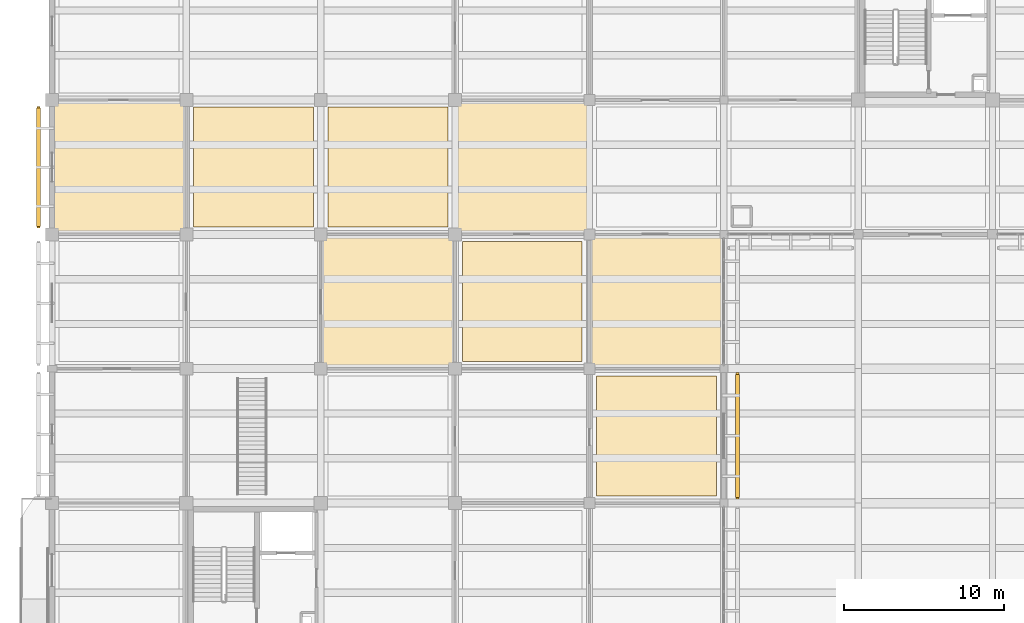
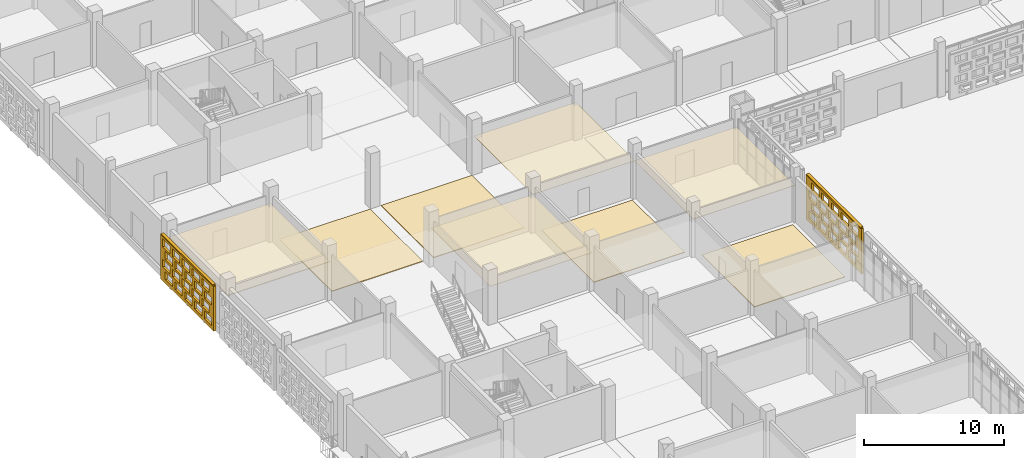
# One storey, part 97 of 129: 10 coverings, 2 shading devices, 40 openings.
"""IFC4 building model written with IfcOpenShell, lengths in metres."""

from ifc_helpers import new_model, si_unit, direction, frame, frame_2d, origin, origin_2d, place, context, subcontext, project, spatial, rectangle, extrude, material, layer, layer_set, type_object, element, save


model = new_model("IFC4")

# Units and contexts
model_context = context("Model", 3, precision=1e-05, world=origin(), true_north=direction((0.0, 1.0)))
body_context = subcontext(model_context, "Body", "Model", "MODEL_VIEW")
ifc_project = project(units=[si_unit("LENGTHUNIT", "METRE"), si_unit("AREAUNIT", "SQUARE_METRE"), si_unit("VOLUMEUNIT", "CUBIC_METRE"), si_unit("PLANEANGLEUNIT", "RADIAN"), si_unit("MASSUNIT", "GRAM", prefix="KILO")], contexts=[model_context])

# Site, building, storey
site_placement = place(None, origin())
site = spatial("IfcSite", under=ifc_project, at=site_placement, CompositionType="ELEMENT")
building_placement = place(site_placement, origin())
building = spatial("IfcBuilding", under=site, at=building_placement, Name="Varnapada Polytechnic", CompositionType="ELEMENT")
storey_placement = place(building_placement, origin())
storey = spatial("IfcBuildingStorey", under=building, at=storey_placement, Name="L00", CompositionType="ELEMENT", Elevation=0.0)

# Coverings
ifc_material_1 = material(Name="Anti-Static Raised Laboratory Flooring")
ifc_layer_1 = layer(ifc_material_1, 0.06005859375)
ifc_layer_set_1 = layer_set([ifc_layer_1], Name="Anti-Static Raised Laboratory Flooring")
covering_type_1 = type_object("IfcCoveringType", Name="Floor Finish FLR-02", PredefinedType="FLOORING", material=ifc_layer_set_1)
for number, where, z_axis, x_axis, name in (
    (1, (12.60009765625, 88.199951171875, 0.0), (0.0, 0.0, 1.0), (1.0, 0.0, 0.0), "L00 floor finish panel (2,11)"),
    (2, (21.0, 88.199951171875, 0.0), (0.0, 0.0, 1.0), (1.0, 0.0, 0.0), "L00 floor finish panel (3,11)"),
    (3, (29.39990234375, 79.800048828125, 0.0), (0.0, 0.0, 1.0), (1.0, 0.0, 0.0), "L00 floor finish panel (4,10)"),
    (4, (37.800048828125, 71.39990234375, 0.0), (0.0, 0.0, 1.0), (1.0, 0.0, 0.0), "L00 floor finish panel (5,9)"),
):
    element("IfcCovering", number, at=place(storey_placement, frame(where, z_axis=z_axis, x_axis=x_axis)), inside=storey, type_object=covering_type_1, Name=name, PredefinedType="FLOORING", context=body_context, shape_type="SweptSolid", body=[
        extrude(rectangle(XDim=7.5, YDim=7.5, at=origin_2d()), origin(), (0.0, 0.0, 1.0), 0.06005859375),
    ])
ifc_material_2 = material(Name="Mineral Fibre Acoustic Ceiling Tile")
ifc_layer_2 = layer(ifc_material_2, 0.0400390625)
ifc_layer_set_2 = layer_set([ifc_layer_2], Name="Mineral Fibre Acoustic Ceiling Tile")
covering_type_2 = type_object("IfcCoveringType", Name="Suspended Ceiling CLG-01", PredefinedType="CEILING", material=ifc_layer_set_2)
covering_1_placement = place(storey_placement, frame((37.800048828125, 79.800048828125, 3.030029296875), z_axis=(0.0, 0.0, 1.0), x_axis=(1.0, 0.0, 0.0)))
element("IfcCovering", 5, at=covering_1_placement, inside=storey, type_object=covering_type_2, Name="L00 suspended acoustic ceiling (5,10)", PredefinedType="CEILING", context=body_context, shape_type="SweptSolid", body=[
    extrude(rectangle(XDim=8.419921875, YDim=8.419921875, at=origin_2d()), origin(), (0.0, 0.0, 1.0), 0.0400390625),
])
ifc_material_3 = material(Name="Moisture-Resistant Aluminum Baffle Ceiling", Category="aluminium")
ifc_layer_3 = layer(ifc_material_3, 0.030029296875)
ifc_layer_set_3 = layer_set([ifc_layer_3], Name="Moisture-Resistant Aluminum Baffle Ceiling")
covering_type_3 = type_object("IfcCoveringType", Name="Suspended Ceiling CLG-03", PredefinedType="CEILING", material=ifc_layer_set_3)
for number, where, z_axis, x_axis, name in (
    (6, (21.0, 79.800048828125, 3.03515625), (0.0, 0.0, 1.0), (1.0, 0.0, 0.0), "L00 suspended acoustic ceiling (3,10)"),
    (7, (29.39990234375, 88.199951171875, 3.03515625), (0.0, 0.0, 1.0), (1.0, 0.0, 0.0), "L00 suspended acoustic ceiling (4,11)"),
):
    element("IfcCovering", number, at=place(storey_placement, frame(where, z_axis=z_axis, x_axis=x_axis)), inside=storey, type_object=covering_type_3, Name=name, PredefinedType="CEILING", context=body_context, shape_type="SweptSolid", body=[
        extrude(rectangle(XDim=8.419921875, YDim=8.419921875, at=origin_2d()), origin(), (0.0, 0.0, 1.0), 0.030029296875),
    ])
ifc_material_4 = material(Name="Deep Acoustic Auditorium Cloud Baffle")
ifc_layer_4 = layer(ifc_material_4, 0.06494140625)
ifc_layer_set_4 = layer_set([ifc_layer_4], Name="Deep Acoustic Auditorium Cloud Baffle")
covering_type_4 = type_object("IfcCoveringType", Name="Suspended Ceiling CLG-07", PredefinedType="CEILING", material=ifc_layer_set_4)
covering_2_placement = place(storey_placement, frame((4.199951171875, 88.199951171875, 3.017578125), z_axis=(0.0, 0.0, 1.0), x_axis=(1.0, 0.0, 0.0)))
element("IfcCovering", 8, at=covering_2_placement, inside=storey, type_object=covering_type_4, Name="L00 suspended acoustic ceiling (1,11)", PredefinedType="CEILING", context=body_context, shape_type="SweptSolid", body=[
    extrude(rectangle(XDim=8.419921875, YDim=8.419921875, at=origin_2d()), origin(), (0.0, 0.0, 1.0), 0.06494140625),
])

# Covering, openings
ifc_material_5 = material(Name="Earth-toned architectural terracotta screen block", Category="masonry")
ifc_layer_5 = layer(ifc_material_5, 0.1201171875)
ifc_layer_set_5 = layer_set([ifc_layer_5], Name="Earth-toned architectural terracotta screen block")
covering_type_5 = type_object("IfcCoveringType", Name="Terracotta Screen Cladding CLD-01", PredefinedType="CLADDING", material=ifc_layer_set_5)
covering_3_placement = place(storey_placement, frame((-0.85009765625, 84.39990234375, 0.0), z_axis=(0.0, 0.0, 1.0), x_axis=(0.0, 1.0, 0.0)))
covering_3 = element("IfcCovering", 9, at=covering_3_placement, inside=storey, type_object=covering_type_5, Name="L00 perforated terracotta block screen (7)", PredefinedType="CLADDING", context=body_context, shape_type="SweptSolid", body=[
    extrude(rectangle(XDim=7.60009765625, YDim=0.179931640625, at=frame_2d((3.800048828125, 0.0))), origin(), (0.0, 0.0, 1.0), 3.919921875),
])
opening_1_placement = place(covering_3_placement, frame((0.300048828125, 0.0, 0.313720703125)))
element("IfcOpeningElement", 10, at=opening_1_placement, cuts=covering_3, Name="Screen perforation TBS-L00-006.1", PredefinedType="OPENING", context=body_context, shape_type="SweptSolid", body=[
    extrude(rectangle(XDim=1.0400390625, YDim=0.679931640625, at=frame_2d((0.52001953125, 0.33984375))), frame((0.0, 0.099853515625, 0.0), z_axis=(0.0, -1.0, 0.0), x_axis=(1.0, 0.0, 0.0)), (0.0, 0.0, 1.0), 0.199951171875),
])
opening_2_placement = place(covering_3_placement, frame((1.699951171875, 0.0, 0.313720703125)))
element("IfcOpeningElement", 11, at=opening_2_placement, cuts=covering_3, Name="Screen perforation TBS-L00-006.2", PredefinedType="OPENING", context=body_context, shape_type="SweptSolid", body=[
    extrude(rectangle(XDim=1.0400390625, YDim=0.679931640625, at=frame_2d((0.52001953125, 0.33984375))), frame((0.0, 0.099853515625, 0.0), z_axis=(0.0, -1.0, 0.0), x_axis=(1.0, 0.0, 0.0)), (0.0, 0.0, 1.0), 0.199951171875),
])
opening_3_placement = place(covering_3_placement, frame((3.10009765625, 0.0, 0.313720703125)))
element("IfcOpeningElement", 12, at=opening_3_placement, cuts=covering_3, Name="Screen perforation TBS-L00-006.3", PredefinedType="OPENING", context=body_context, shape_type="SweptSolid", body=[
    extrude(rectangle(XDim=1.0400390625, YDim=0.679931640625, at=frame_2d((0.52001953125, 0.33984375))), frame((0.0, 0.099853515625, 0.0), z_axis=(0.0, -1.0, 0.0), x_axis=(1.0, 0.0, 0.0)), (0.0, 0.0, 1.0), 0.199951171875),
])
opening_4_placement = place(covering_3_placement, frame((4.5, 0.0, 0.313720703125)))
element("IfcOpeningElement", 13, at=opening_4_placement, cuts=covering_3, Name="Screen perforation TBS-L00-006.4", PredefinedType="OPENING", context=body_context, shape_type="SweptSolid", body=[
    extrude(rectangle(XDim=1.0400390625, YDim=0.679931640625, at=frame_2d((0.52001953125, 0.33984375))), frame((0.0, 0.099853515625, 0.0), z_axis=(0.0, -1.0, 0.0), x_axis=(1.0, 0.0, 0.0)), (0.0, 0.0, 1.0), 0.199951171875),
])
opening_5_placement = place(covering_3_placement, frame((5.89990234375, 0.0, 0.313720703125)))
element("IfcOpeningElement", 14, at=opening_5_placement, cuts=covering_3, Name="Screen perforation TBS-L00-006.5", PredefinedType="OPENING", context=body_context, shape_type="SweptSolid", body=[
    extrude(rectangle(XDim=1.0400390625, YDim=0.679931640625, at=frame_2d((0.52001953125, 0.33984375))), frame((0.0, 0.099853515625, 0.0), z_axis=(0.0, -1.0, 0.0), x_axis=(1.0, 0.0, 0.0)), (0.0, 0.0, 1.0), 0.199951171875),
])
opening_6_placement = place(covering_3_placement, frame((0.659912109375, 0.0, 1.195556640625)))
element("IfcOpeningElement", 15, at=opening_6_placement, cuts=covering_3, Name="Screen perforation TBS-L00-006.6", PredefinedType="OPENING", context=body_context, shape_type="SweptSolid", body=[
    extrude(rectangle(XDim=1.0400390625, YDim=0.679931640625, at=frame_2d((0.52001953125, 0.33984375))), frame((0.0, 0.099853515625, 0.0), z_axis=(0.0, -1.0, 0.0), x_axis=(1.0, 0.0, 0.0)), (0.0, 0.0, 1.0), 0.199951171875),
])
opening_7_placement = place(covering_3_placement, frame((2.06005859375, 0.0, 1.195556640625)))
element("IfcOpeningElement", 16, at=opening_7_placement, cuts=covering_3, Name="Screen perforation TBS-L00-006.7", PredefinedType="OPENING", context=body_context, shape_type="SweptSolid", body=[
    extrude(rectangle(XDim=1.0400390625, YDim=0.679931640625, at=frame_2d((0.52001953125, 0.33984375))), frame((0.0, 0.099853515625, 0.0), z_axis=(0.0, -1.0, 0.0), x_axis=(1.0, 0.0, 0.0)), (0.0, 0.0, 1.0), 0.199951171875),
])
opening_8_placement = place(covering_3_placement, frame((3.4599609375, 0.0, 1.195556640625)))
element("IfcOpeningElement", 17, at=opening_8_placement, cuts=covering_3, Name="Screen perforation TBS-L00-006.8", PredefinedType="OPENING", context=body_context, shape_type="SweptSolid", body=[
    extrude(rectangle(XDim=1.0400390625, YDim=0.679931640625, at=frame_2d((0.52001953125, 0.33984375))), frame((0.0, 0.099853515625, 0.0), z_axis=(0.0, -1.0, 0.0), x_axis=(1.0, 0.0, 0.0)), (0.0, 0.0, 1.0), 0.199951171875),
])
opening_9_placement = place(covering_3_placement, frame((4.860107421875, 0.0, 1.195556640625)))
element("IfcOpeningElement", 18, at=opening_9_placement, cuts=covering_3, Name="Screen perforation TBS-L00-006.9", PredefinedType="OPENING", context=body_context, shape_type="SweptSolid", body=[
    extrude(rectangle(XDim=1.0400390625, YDim=0.679931640625, at=frame_2d((0.52001953125, 0.33984375))), frame((0.0, 0.099853515625, 0.0), z_axis=(0.0, -1.0, 0.0), x_axis=(1.0, 0.0, 0.0)), (0.0, 0.0, 1.0), 0.199951171875),
])
opening_10_placement = place(covering_3_placement, frame((6.260009765625, 0.0, 1.195556640625)))
element("IfcOpeningElement", 19, at=opening_10_placement, cuts=covering_3, Name="Screen perforation TBS-L00-006.10", PredefinedType="OPENING", context=body_context, shape_type="SweptSolid", body=[
    extrude(rectangle(XDim=1.0400390625, YDim=0.679931640625, at=frame_2d((0.52001953125, 0.33984375))), frame((0.0, 0.099853515625, 0.0), z_axis=(0.0, -1.0, 0.0), x_axis=(1.0, 0.0, 0.0)), (0.0, 0.0, 1.0), 0.199951171875),
])
opening_11_placement = place(covering_3_placement, frame((0.300048828125, 0.0, 2.07763671875)))
element("IfcOpeningElement", 20, at=opening_11_placement, cuts=covering_3, Name="Screen perforation TBS-L00-006.11", PredefinedType="OPENING", context=body_context, shape_type="SweptSolid", body=[
    extrude(rectangle(XDim=1.0400390625, YDim=0.679931640625, at=frame_2d((0.52001953125, 0.33984375))), frame((0.0, 0.099853515625, 0.0), z_axis=(0.0, -1.0, 0.0), x_axis=(1.0, 0.0, 0.0)), (0.0, 0.0, 1.0), 0.199951171875),
])
opening_12_placement = place(covering_3_placement, frame((1.699951171875, 0.0, 2.07763671875)))
element("IfcOpeningElement", 21, at=opening_12_placement, cuts=covering_3, Name="Screen perforation TBS-L00-006.12", PredefinedType="OPENING", context=body_context, shape_type="SweptSolid", body=[
    extrude(rectangle(XDim=1.0400390625, YDim=0.679931640625, at=frame_2d((0.52001953125, 0.33984375))), frame((0.0, 0.099853515625, 0.0), z_axis=(0.0, -1.0, 0.0), x_axis=(1.0, 0.0, 0.0)), (0.0, 0.0, 1.0), 0.199951171875),
])
opening_13_placement = place(covering_3_placement, frame((3.10009765625, 0.0, 2.07763671875)))
element("IfcOpeningElement", 22, at=opening_13_placement, cuts=covering_3, Name="Screen perforation TBS-L00-006.13", PredefinedType="OPENING", context=body_context, shape_type="SweptSolid", body=[
    extrude(rectangle(XDim=1.0400390625, YDim=0.679931640625, at=frame_2d((0.52001953125, 0.33984375))), frame((0.0, 0.099853515625, 0.0), z_axis=(0.0, -1.0, 0.0), x_axis=(1.0, 0.0, 0.0)), (0.0, 0.0, 1.0), 0.199951171875),
])
opening_14_placement = place(covering_3_placement, frame((4.5, 0.0, 2.07763671875)))
element("IfcOpeningElement", 23, at=opening_14_placement, cuts=covering_3, Name="Screen perforation TBS-L00-006.14", PredefinedType="OPENING", context=body_context, shape_type="SweptSolid", body=[
    extrude(rectangle(XDim=1.0400390625, YDim=0.679931640625, at=frame_2d((0.52001953125, 0.33984375))), frame((0.0, 0.099853515625, 0.0), z_axis=(0.0, -1.0, 0.0), x_axis=(1.0, 0.0, 0.0)), (0.0, 0.0, 1.0), 0.199951171875),
])
opening_15_placement = place(covering_3_placement, frame((5.89990234375, 0.0, 2.07763671875)))
element("IfcOpeningElement", 24, at=opening_15_placement, cuts=covering_3, Name="Screen perforation TBS-L00-006.15", PredefinedType="OPENING", context=body_context, shape_type="SweptSolid", body=[
    extrude(rectangle(XDim=1.0400390625, YDim=0.679931640625, at=frame_2d((0.52001953125, 0.33984375))), frame((0.0, 0.099853515625, 0.0), z_axis=(0.0, -1.0, 0.0), x_axis=(1.0, 0.0, 0.0)), (0.0, 0.0, 1.0), 0.199951171875),
])
opening_16_placement = place(covering_3_placement, frame((0.659912109375, 0.0, 2.959716796875)))
element("IfcOpeningElement", 25, at=opening_16_placement, cuts=covering_3, Name="Screen perforation TBS-L00-006.16", PredefinedType="OPENING", context=body_context, shape_type="SweptSolid", body=[
    extrude(rectangle(XDim=1.0400390625, YDim=0.679931640625, at=frame_2d((0.52001953125, 0.33984375))), frame((0.0, 0.099853515625, 0.0), z_axis=(0.0, -1.0, 0.0), x_axis=(1.0, 0.0, 0.0)), (0.0, 0.0, 1.0), 0.199951171875),
])
opening_17_placement = place(covering_3_placement, frame((2.06005859375, 0.0, 2.959716796875)))
element("IfcOpeningElement", 26, at=opening_17_placement, cuts=covering_3, Name="Screen perforation TBS-L00-006.17", PredefinedType="OPENING", context=body_context, shape_type="SweptSolid", body=[
    extrude(rectangle(XDim=1.0400390625, YDim=0.679931640625, at=frame_2d((0.52001953125, 0.33984375))), frame((0.0, 0.099853515625, 0.0), z_axis=(0.0, -1.0, 0.0), x_axis=(1.0, 0.0, 0.0)), (0.0, 0.0, 1.0), 0.199951171875),
])
opening_18_placement = place(covering_3_placement, frame((3.4599609375, 0.0, 2.959716796875)))
element("IfcOpeningElement", 27, at=opening_18_placement, cuts=covering_3, Name="Screen perforation TBS-L00-006.18", PredefinedType="OPENING", context=body_context, shape_type="SweptSolid", body=[
    extrude(rectangle(XDim=1.0400390625, YDim=0.679931640625, at=frame_2d((0.52001953125, 0.33984375))), frame((0.0, 0.099853515625, 0.0), z_axis=(0.0, -1.0, 0.0), x_axis=(1.0, 0.0, 0.0)), (0.0, 0.0, 1.0), 0.199951171875),
])
opening_19_placement = place(covering_3_placement, frame((4.860107421875, 0.0, 2.959716796875)))
element("IfcOpeningElement", 28, at=opening_19_placement, cuts=covering_3, Name="Screen perforation TBS-L00-006.19", PredefinedType="OPENING", context=body_context, shape_type="SweptSolid", body=[
    extrude(rectangle(XDim=1.0400390625, YDim=0.679931640625, at=frame_2d((0.52001953125, 0.33984375))), frame((0.0, 0.099853515625, 0.0), z_axis=(0.0, -1.0, 0.0), x_axis=(1.0, 0.0, 0.0)), (0.0, 0.0, 1.0), 0.199951171875),
])
opening_20_placement = place(covering_3_placement, frame((6.260009765625, 0.0, 2.959716796875)))
element("IfcOpeningElement", 29, at=opening_20_placement, cuts=covering_3, Name="Screen perforation TBS-L00-006.20", PredefinedType="OPENING", context=body_context, shape_type="SweptSolid", body=[
    extrude(rectangle(XDim=1.0400390625, YDim=0.679931640625, at=frame_2d((0.52001953125, 0.33984375))), frame((0.0, 0.099853515625, 0.0), z_axis=(0.0, -1.0, 0.0), x_axis=(1.0, 0.0, 0.0)), (0.0, 0.0, 1.0), 0.199951171875),
])

covering_4_placement = place(storey_placement, frame((42.85009765625, 75.35009765625, 0.0), z_axis=(0.0, 0.0, 1.0), x_axis=(0.0, -1.0, 0.0)))
covering_4 = element("IfcCovering", 30, at=covering_4_placement, inside=storey, type_object=covering_type_5, Name="L00 perforated terracotta block screen (28)", PredefinedType="CLADDING", context=body_context, shape_type="SweptSolid", body=[
    extrude(rectangle(XDim=7.900146484375, YDim=0.179931640625, at=frame_2d((3.9501953125, 0.0))), origin(), (0.0, 0.0, 1.0), 3.919921875),
])
opening_21_placement = place(covering_4_placement, frame((0.449951171875, 0.0, 0.313720703125)))
element("IfcOpeningElement", 31, at=opening_21_placement, cuts=covering_4, Name="Screen perforation TBS-L00-027.1", PredefinedType="OPENING", context=body_context, shape_type="SweptSolid", body=[
    extrude(rectangle(XDim=1.0400390625, YDim=0.679931640625, at=frame_2d((0.52001953125, 0.33984375))), frame((0.0, 0.099853515625, 0.0), z_axis=(0.0, -1.0, 0.0), x_axis=(1.0, 0.0, 0.0)), (0.0, 0.0, 1.0), 0.199951171875),
])
opening_22_placement = place(covering_4_placement, frame((1.85009765625, 0.0, 0.313720703125)))
element("IfcOpeningElement", 32, at=opening_22_placement, cuts=covering_4, Name="Screen perforation TBS-L00-027.2", PredefinedType="OPENING", context=body_context, shape_type="SweptSolid", body=[
    extrude(rectangle(XDim=1.0400390625, YDim=0.679931640625, at=frame_2d((0.52001953125, 0.33984375))), frame((0.0, 0.099853515625, 0.0), z_axis=(0.0, -1.0, 0.0), x_axis=(1.0, 0.0, 0.0)), (0.0, 0.0, 1.0), 0.199951171875),
])
opening_23_placement = place(covering_4_placement, frame((3.25, 0.0, 0.313720703125)))
element("IfcOpeningElement", 33, at=opening_23_placement, cuts=covering_4, Name="Screen perforation TBS-L00-027.3", PredefinedType="OPENING", context=body_context, shape_type="SweptSolid", body=[
    extrude(rectangle(XDim=1.0400390625, YDim=0.679931640625, at=frame_2d((0.52001953125, 0.33984375))), frame((0.0, 0.099853515625, 0.0), z_axis=(0.0, -1.0, 0.0), x_axis=(1.0, 0.0, 0.0)), (0.0, 0.0, 1.0), 0.199951171875),
])
opening_24_placement = place(covering_4_placement, frame((4.64990234375, 0.0, 0.313720703125)))
element("IfcOpeningElement", 34, at=opening_24_placement, cuts=covering_4, Name="Screen perforation TBS-L00-027.4", PredefinedType="OPENING", context=body_context, shape_type="SweptSolid", body=[
    extrude(rectangle(XDim=1.0400390625, YDim=0.679931640625, at=frame_2d((0.52001953125, 0.33984375))), frame((0.0, 0.099853515625, 0.0), z_axis=(0.0, -1.0, 0.0), x_axis=(1.0, 0.0, 0.0)), (0.0, 0.0, 1.0), 0.199951171875),
])
opening_25_placement = place(covering_4_placement, frame((6.050048828125, 0.0, 0.313720703125)))
element("IfcOpeningElement", 35, at=opening_25_placement, cuts=covering_4, Name="Screen perforation TBS-L00-027.5", PredefinedType="OPENING", context=body_context, shape_type="SweptSolid", body=[
    extrude(rectangle(XDim=1.0400390625, YDim=0.679931640625, at=frame_2d((0.52001953125, 0.33984375))), frame((0.0, 0.099853515625, 0.0), z_axis=(0.0, -1.0, 0.0), x_axis=(1.0, 0.0, 0.0)), (0.0, 0.0, 1.0), 0.199951171875),
])
opening_26_placement = place(covering_4_placement, frame((0.81005859375, 0.0, 1.195556640625)))
element("IfcOpeningElement", 36, at=opening_26_placement, cuts=covering_4, Name="Screen perforation TBS-L00-027.6", PredefinedType="OPENING", context=body_context, shape_type="SweptSolid", body=[
    extrude(rectangle(XDim=1.0400390625, YDim=0.679931640625, at=frame_2d((0.52001953125, 0.33984375))), frame((0.0, 0.099853515625, 0.0), z_axis=(0.0, -1.0, 0.0), x_axis=(1.0, 0.0, 0.0)), (0.0, 0.0, 1.0), 0.199951171875),
])
opening_27_placement = place(covering_4_placement, frame((2.2099609375, 0.0, 1.195556640625)))
element("IfcOpeningElement", 37, at=opening_27_placement, cuts=covering_4, Name="Screen perforation TBS-L00-027.7", PredefinedType="OPENING", context=body_context, shape_type="SweptSolid", body=[
    extrude(rectangle(XDim=1.0400390625, YDim=0.679931640625, at=frame_2d((0.52001953125, 0.33984375))), frame((0.0, 0.099853515625, 0.0), z_axis=(0.0, -1.0, 0.0), x_axis=(1.0, 0.0, 0.0)), (0.0, 0.0, 1.0), 0.199951171875),
])
opening_28_placement = place(covering_4_placement, frame((3.610107421875, 0.0, 1.195556640625)))
element("IfcOpeningElement", 38, at=opening_28_placement, cuts=covering_4, Name="Screen perforation TBS-L00-027.8", PredefinedType="OPENING", context=body_context, shape_type="SweptSolid", body=[
    extrude(rectangle(XDim=1.0400390625, YDim=0.679931640625, at=frame_2d((0.52001953125, 0.33984375))), frame((0.0, 0.099853515625, 0.0), z_axis=(0.0, -1.0, 0.0), x_axis=(1.0, 0.0, 0.0)), (0.0, 0.0, 1.0), 0.199951171875),
])
opening_29_placement = place(covering_4_placement, frame((5.010009765625, 0.0, 1.195556640625)))
element("IfcOpeningElement", 39, at=opening_29_placement, cuts=covering_4, Name="Screen perforation TBS-L00-027.9", PredefinedType="OPENING", context=body_context, shape_type="SweptSolid", body=[
    extrude(rectangle(XDim=1.0400390625, YDim=0.679931640625, at=frame_2d((0.52001953125, 0.33984375))), frame((0.0, 0.099853515625, 0.0), z_axis=(0.0, -1.0, 0.0), x_axis=(1.0, 0.0, 0.0)), (0.0, 0.0, 1.0), 0.199951171875),
])
opening_30_placement = place(covering_4_placement, frame((6.409912109375, 0.0, 1.195556640625)))
element("IfcOpeningElement", 40, at=opening_30_placement, cuts=covering_4, Name="Screen perforation TBS-L00-027.10", PredefinedType="OPENING", context=body_context, shape_type="SweptSolid", body=[
    extrude(rectangle(XDim=1.0400390625, YDim=0.679931640625, at=frame_2d((0.52001953125, 0.33984375))), frame((0.0, 0.099853515625, 0.0), z_axis=(0.0, -1.0, 0.0), x_axis=(1.0, 0.0, 0.0)), (0.0, 0.0, 1.0), 0.199951171875),
])
opening_31_placement = place(covering_4_placement, frame((0.449951171875, 0.0, 2.07763671875)))
element("IfcOpeningElement", 41, at=opening_31_placement, cuts=covering_4, Name="Screen perforation TBS-L00-027.11", PredefinedType="OPENING", context=body_context, shape_type="SweptSolid", body=[
    extrude(rectangle(XDim=1.0400390625, YDim=0.679931640625, at=frame_2d((0.52001953125, 0.33984375))), frame((0.0, 0.099853515625, 0.0), z_axis=(0.0, -1.0, 0.0), x_axis=(1.0, 0.0, 0.0)), (0.0, 0.0, 1.0), 0.199951171875),
])
opening_32_placement = place(covering_4_placement, frame((1.85009765625, 0.0, 2.07763671875)))
element("IfcOpeningElement", 42, at=opening_32_placement, cuts=covering_4, Name="Screen perforation TBS-L00-027.12", PredefinedType="OPENING", context=body_context, shape_type="SweptSolid", body=[
    extrude(rectangle(XDim=1.0400390625, YDim=0.679931640625, at=frame_2d((0.52001953125, 0.33984375))), frame((0.0, 0.099853515625, 0.0), z_axis=(0.0, -1.0, 0.0), x_axis=(1.0, 0.0, 0.0)), (0.0, 0.0, 1.0), 0.199951171875),
])
opening_33_placement = place(covering_4_placement, frame((3.25, 0.0, 2.07763671875)))
element("IfcOpeningElement", 43, at=opening_33_placement, cuts=covering_4, Name="Screen perforation TBS-L00-027.13", PredefinedType="OPENING", context=body_context, shape_type="SweptSolid", body=[
    extrude(rectangle(XDim=1.0400390625, YDim=0.679931640625, at=frame_2d((0.52001953125, 0.33984375))), frame((0.0, 0.099853515625, 0.0), z_axis=(0.0, -1.0, 0.0), x_axis=(1.0, 0.0, 0.0)), (0.0, 0.0, 1.0), 0.199951171875),
])
opening_34_placement = place(covering_4_placement, frame((4.64990234375, 0.0, 2.07763671875)))
element("IfcOpeningElement", 44, at=opening_34_placement, cuts=covering_4, Name="Screen perforation TBS-L00-027.14", PredefinedType="OPENING", context=body_context, shape_type="SweptSolid", body=[
    extrude(rectangle(XDim=1.0400390625, YDim=0.679931640625, at=frame_2d((0.52001953125, 0.33984375))), frame((0.0, 0.099853515625, 0.0), z_axis=(0.0, -1.0, 0.0), x_axis=(1.0, 0.0, 0.0)), (0.0, 0.0, 1.0), 0.199951171875),
])
opening_35_placement = place(covering_4_placement, frame((6.050048828125, 0.0, 2.07763671875)))
element("IfcOpeningElement", 45, at=opening_35_placement, cuts=covering_4, Name="Screen perforation TBS-L00-027.15", PredefinedType="OPENING", context=body_context, shape_type="SweptSolid", body=[
    extrude(rectangle(XDim=1.0400390625, YDim=0.679931640625, at=frame_2d((0.52001953125, 0.33984375))), frame((0.0, 0.099853515625, 0.0), z_axis=(0.0, -1.0, 0.0), x_axis=(1.0, 0.0, 0.0)), (0.0, 0.0, 1.0), 0.199951171875),
])
opening_36_placement = place(covering_4_placement, frame((0.81005859375, 0.0, 2.959716796875)))
element("IfcOpeningElement", 46, at=opening_36_placement, cuts=covering_4, Name="Screen perforation TBS-L00-027.16", PredefinedType="OPENING", context=body_context, shape_type="SweptSolid", body=[
    extrude(rectangle(XDim=1.0400390625, YDim=0.679931640625, at=frame_2d((0.52001953125, 0.33984375))), frame((0.0, 0.099853515625, 0.0), z_axis=(0.0, -1.0, 0.0), x_axis=(1.0, 0.0, 0.0)), (0.0, 0.0, 1.0), 0.199951171875),
])
opening_37_placement = place(covering_4_placement, frame((2.2099609375, 0.0, 2.959716796875)))
element("IfcOpeningElement", 47, at=opening_37_placement, cuts=covering_4, Name="Screen perforation TBS-L00-027.17", PredefinedType="OPENING", context=body_context, shape_type="SweptSolid", body=[
    extrude(rectangle(XDim=1.0400390625, YDim=0.679931640625, at=frame_2d((0.52001953125, 0.33984375))), frame((0.0, 0.099853515625, 0.0), z_axis=(0.0, -1.0, 0.0), x_axis=(1.0, 0.0, 0.0)), (0.0, 0.0, 1.0), 0.199951171875),
])
opening_38_placement = place(covering_4_placement, frame((3.610107421875, 0.0, 2.959716796875)))
element("IfcOpeningElement", 48, at=opening_38_placement, cuts=covering_4, Name="Screen perforation TBS-L00-027.18", PredefinedType="OPENING", context=body_context, shape_type="SweptSolid", body=[
    extrude(rectangle(XDim=1.0400390625, YDim=0.679931640625, at=frame_2d((0.52001953125, 0.33984375))), frame((0.0, 0.099853515625, 0.0), z_axis=(0.0, -1.0, 0.0), x_axis=(1.0, 0.0, 0.0)), (0.0, 0.0, 1.0), 0.199951171875),
])
opening_39_placement = place(covering_4_placement, frame((5.010009765625, 0.0, 2.959716796875)))
element("IfcOpeningElement", 49, at=opening_39_placement, cuts=covering_4, Name="Screen perforation TBS-L00-027.19", PredefinedType="OPENING", context=body_context, shape_type="SweptSolid", body=[
    extrude(rectangle(XDim=1.0400390625, YDim=0.679931640625, at=frame_2d((0.52001953125, 0.33984375))), frame((0.0, 0.099853515625, 0.0), z_axis=(0.0, -1.0, 0.0), x_axis=(1.0, 0.0, 0.0)), (0.0, 0.0, 1.0), 0.199951171875),
])
opening_40_placement = place(covering_4_placement, frame((6.409912109375, 0.0, 2.959716796875)))
element("IfcOpeningElement", 50, at=opening_40_placement, cuts=covering_4, Name="Screen perforation TBS-L00-027.20", PredefinedType="OPENING", context=body_context, shape_type="SweptSolid", body=[
    extrude(rectangle(XDim=1.0400390625, YDim=0.679931640625, at=frame_2d((0.52001953125, 0.33984375))), frame((0.0, 0.099853515625, 0.0), z_axis=(0.0, -1.0, 0.0), x_axis=(1.0, 0.0, 0.0)), (0.0, 0.0, 1.0), 0.199951171875),
])

# Shading devices
ifc_layer_6 = layer(ifc_material_5, 0.179931640625)
ifc_layer_set_6 = layer_set([ifc_layer_6], Name="Earth-toned architectural terracotta screen block")
shading_device_type = type_object("IfcShadingDeviceType", Name="Terracotta Screen SCR-02", PredefinedType="USERDEFINED", material=ifc_layer_set_6)
shading_device_1_placement = place(storey_placement, frame((-0.85009765625, 88.199951171875, 3.909912109375), z_axis=(0.0, 0.0, 1.0), x_axis=(0.0, 1.0, 0.0)))
element("IfcShadingDevice", 51, at=shading_device_1_placement, inside=storey, type_object=shading_device_type, Name="L00 perforated terracotta screen hood 6", ObjectType="SCREEN", PredefinedType="USERDEFINED", context=body_context, shape_type="SweptSolid", body=[
    extrude(rectangle(XDim=7.39990234375, YDim=0.239990234375, at=origin_2d()), origin(), (0.0, 0.0, 1.0), 0.10009765625),
])
shading_device_2_placement = place(storey_placement, frame((42.85009765625, 71.39990234375, 3.909912109375), z_axis=(0.0, 0.0, 1.0), x_axis=(0.0, -1.0, 0.0)))
element("IfcShadingDevice", 52, at=shading_device_2_placement, inside=storey, type_object=shading_device_type, Name="L00 perforated terracotta screen hood 23", ObjectType="SCREEN", PredefinedType="USERDEFINED", context=body_context, shape_type="SweptSolid", body=[
    extrude(rectangle(XDim=7.699951171875, YDim=0.239990234375, at=origin_2d()), origin(), (0.0, 0.0, 1.0), 0.10009765625),
])

save(model, "model.ifc")
